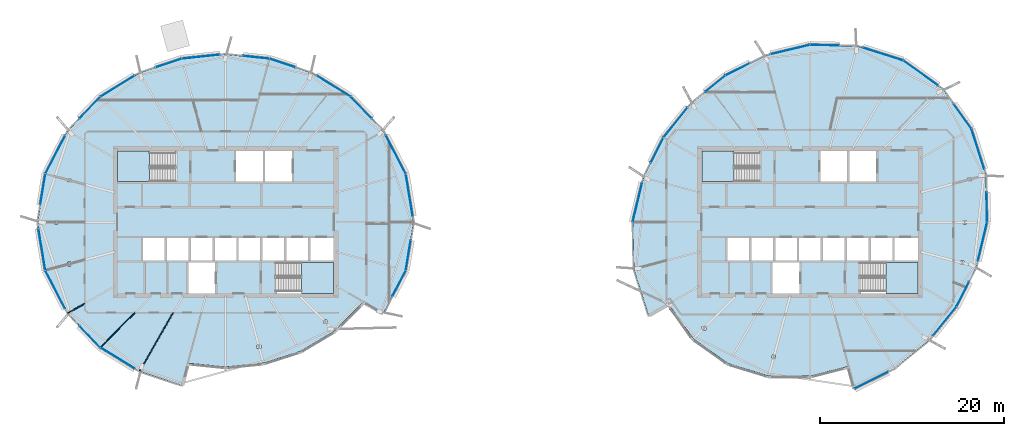
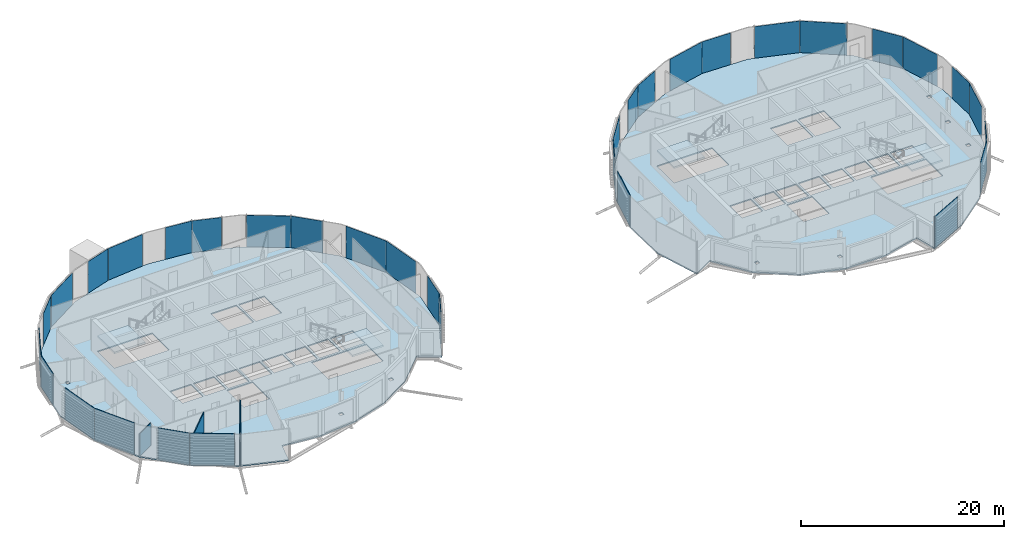
# One storey, part 15 of 33: 34 plates, 6 slabs, 3 walls, 6 elements without a shape of their own.
"""IFC4 building model written with IfcOpenShell, lengths in metres."""

from ifc_helpers import new_model, si_unit, direction, frame, frame_2d, origin, origin_2d, place, context, subcontext, project, spatial, polyline, rectangle, outline, extrude, material, layer, layer_set, type_object, element, aggregate, save


model = new_model("IFC4")

# Units and contexts
model_context = context("Model", 3, precision=1e-05, world=origin(), true_north=direction((0.0, 1.0)))
body_context = subcontext(model_context, "Body", "Model", "MODEL_VIEW")
ifc_project = project(units=[si_unit("LENGTHUNIT", "METRE"), si_unit("AREAUNIT", "SQUARE_METRE"), si_unit("VOLUMEUNIT", "CUBIC_METRE"), si_unit("PLANEANGLEUNIT", "RADIAN"), si_unit("MASSUNIT", "GRAM", prefix="KILO")], contexts=[model_context])

# Site, building, storey
site_placement = place(None, origin())
site = spatial("IfcSite", under=ifc_project, at=site_placement, CompositionType="ELEMENT")
building_placement = place(site_placement, origin())
building = spatial("IfcBuilding", under=site, at=building_placement, Name="Rimbun Link Towers", CompositionType="ELEMENT")
storey_placement = place(building_placement, frame((0.0, 0.0, 237.10009765625)))
storey = spatial("IfcBuildingStorey", under=building, at=storey_placement, Name="L58", CompositionType="ELEMENT", Elevation=237.10009765625)

# Slabs
ifc_material_1 = material(Name="Concrete C35/45", Category="concrete")
ifc_layer_1 = layer(ifc_material_1, 0.139892578125)
ifc_layer_set_1 = layer_set([ifc_layer_1], Name="COMPOSITE FLOOR 140")
slab_type_1 = type_object("IfcSlabType", Name="COMPOSITE FLOOR 140", PredefinedType="FLOOR", material=ifc_layer_set_1)
slab_1_placement = place(storey_placement, frame((0.0, 0.0, -0.14013671875)))
element("IfcSlab", 1, at=slab_1_placement, inside=storey, type_object=slab_type_1, Name="Floor slab T1 L58", PredefinedType="FLOOR", context=body_context, shape_type="SweptSolid", body=[
    extrude(outline(polyline([(-41.108642578125, -16.209716796875), (-45.353515625, -13.603515625), (-48.901611328125, -9.902587890625), (-51.313232421875, -5.241943359375), (-52.17529296875, 0.0), (-51.313232421875, 5.241943359375), (-48.901611328125, 9.902587890625), (-45.353515625, 13.603515625), (-41.108642578125, 16.209716796875), (-36.50244140625, 17.736328125), (-31.75, 18.23681640625), (-26.99755859375, 17.736328125), (-22.391357421875, 16.209716796875), (-18.146484375, 13.603515625), (-14.598388671875, 9.902587890625), (-12.186767578125, 5.241943359375), (-11.32470703125, 0.0), (-12.186767578125, -5.241943359375), (-14.598388671875, -9.902587890625), (-16.76318359375, -8.652587890625), (-19.914306640625, -11.835693359375), (-23.641357421875, -14.044677734375), (-27.64453125, -15.321533203125), (-31.75, -15.73681640625), (-35.85546875, -15.321533203125), (-36.50244140625, -17.736328125), (-41.108642578125, -16.209716796875)]), holes=[polyline([(-32.89990234375, -7.75), (-32.89990234375, -4.39990234375), (-35.800048828125, -4.39990234375), (-35.800048828125, -7.75), (-32.89990234375, -7.75)]), polyline([(-48.52392578125, -4.744873046875), (-48.52392578125, -4.351318359375), (-48.9228515625, -4.351318359375), (-48.9228515625, -4.744873046875), (-48.52392578125, -4.744873046875)]), polyline([(-38.361083984375, -4.14990234375), (-38.361083984375, -1.75), (-40.70556640625, -1.75), (-40.70556640625, -4.14990234375), (-38.361083984375, -4.14990234375)]), polyline([(-35.7666015625, -4.14990234375), (-35.7666015625, -1.75), (-38.111083984375, -1.75), (-38.111083984375, -4.14990234375), (-35.7666015625, -4.14990234375)]), polyline([(-33.172119140625, -4.14990234375), (-33.172119140625, -1.75), (-35.5166015625, -1.75), (-35.5166015625, -4.14990234375), (-33.172119140625, -4.14990234375)]), polyline([(-30.577880859375, -4.14990234375), (-30.577880859375, -1.75), (-32.922119140625, -1.75), (-32.922119140625, -4.14990234375), (-30.577880859375, -4.14990234375)]), polyline([(-49.9482421875, -0.19677734375), (-49.9482421875, 0.19677734375), (-50.34716796875, 0.19677734375), (-50.34716796875, -0.19677734375), (-49.9482421875, -0.19677734375)]), polyline([(-48.9228515625, 4.351318359375), (-48.52392578125, 4.351318359375), (-48.52392578125, 4.744873046875), (-48.9228515625, 4.744873046875), (-48.9228515625, 4.351318359375)]), polyline([(-43.5, 4.39990234375), (-37.260009765625, 4.39990234375), (-37.260009765625, 7.75), (-43.5, 7.75), (-43.5, 4.39990234375)]), polyline([(-27.924072265625, -13.730712890625), (-27.924072265625, -13.337158203125), (-28.322998046875, -13.337158203125), (-28.322998046875, -13.730712890625), (-27.924072265625, -13.730712890625)]), polyline([(-20.7060546875, -11.041259765625), (-20.7060546875, -10.647705078125), (-21.10498046875, -10.647705078125), (-21.10498046875, -11.041259765625), (-20.7060546875, -11.041259765625)]), polyline([(-20.0, -7.75), (-20.0, -4.39990234375), (-26.239990234375, -4.39990234375), (-26.239990234375, -7.75), (-20.0, -7.75)]), polyline([(-27.9833984375, -4.14990234375), (-27.9833984375, -1.75), (-30.327880859375, -1.75), (-30.327880859375, -4.14990234375), (-27.9833984375, -4.14990234375)]), polyline([(-25.388916015625, -4.14990234375), (-25.388916015625, -1.75), (-27.7333984375, -1.75), (-27.7333984375, -4.14990234375), (-25.388916015625, -4.14990234375)]), polyline([(-22.79443359375, -4.14990234375), (-22.79443359375, -1.75), (-25.138916015625, -1.75), (-25.138916015625, -4.14990234375), (-22.79443359375, -4.14990234375)]), polyline([(-20.0, -4.14990234375), (-20.0, -1.75), (-22.54443359375, -1.75), (-22.54443359375, -4.14990234375), (-20.0, -4.14990234375)]), polyline([(-30.60009765625, 4.39990234375), (-27.699951171875, 4.39990234375), (-27.699951171875, 7.75), (-30.60009765625, 7.75), (-30.60009765625, 4.39990234375)]), polyline([(-27.449951171875, 4.39990234375), (-24.550048828125, 4.39990234375), (-24.550048828125, 7.75), (-27.449951171875, 7.75), (-27.449951171875, 4.39990234375)])]), origin(), (0.0, 0.0, 1.0), 0.14013671875),
])
slab_2_placement = place(storey_placement, frame((0.0, 0.0, -0.14013671875)))
element("IfcSlab", 2, at=slab_2_placement, inside=storey, type_object=slab_type_1, Name="Floor slab T2 L58", PredefinedType="FLOOR", context=body_context, shape_type="SweptSolid", body=[
    extrude(outline(polyline([(12.61962890625, -5.1259765625), (12.51171875, 0.0), (13.67041015625, 4.844482421875), (15.84814453125, 9.180908203125), (18.8544921875, 12.8955078125), (22.569091796875, 15.90185546875), (26.905517578125, 18.07958984375), (31.75, 19.23828125), (36.8759765625, 19.13037109375), (41.876708984375, 17.539794921875), (46.19287109375, 14.44287109375), (49.289794921875, 10.126708984375), (50.88037109375, 5.1259765625), (50.98828125, 0.0), (49.82958984375, -4.844482421875), (47.65185546875, -9.180908203125), (44.6455078125, -12.8955078125), (40.930908203125, -15.90185546875), (36.594482421875, -18.07958984375), (35.947509765625, -15.664794921875), (31.75, -16.73828125), (27.27099609375, -16.71533203125), (22.873291015625, -15.375), (19.074951171875, -12.675048828125), (16.375, -8.876708984375), (14.210205078125, -10.126708984375), (12.61962890625, -5.1259765625)]), holes=[polyline([(28.02587890625, -14.840087890625), (28.02587890625, -14.446533203125), (27.626708984375, -14.446533203125), (27.626708984375, -14.840087890625), (28.02587890625, -14.840087890625)]), polyline([(20.4384765625, -11.7080078125), (20.4384765625, -11.314208984375), (20.039306640625, -11.314208984375), (20.039306640625, -11.7080078125), (20.4384765625, -11.7080078125)]), polyline([(30.60009765625, -7.75), (30.60009765625, -4.39990234375), (27.699951171875, -4.39990234375), (27.699951171875, -7.75), (30.60009765625, -7.75)]), polyline([(25.138916015625, -4.14990234375), (25.138916015625, -1.75), (22.79443359375, -1.75), (22.79443359375, -4.14990234375), (25.138916015625, -4.14990234375)]), polyline([(27.7333984375, -4.14990234375), (27.7333984375, -1.75), (25.388916015625, -1.75), (25.388916015625, -4.14990234375), (27.7333984375, -4.14990234375)]), polyline([(30.327880859375, -4.14990234375), (30.327880859375, -1.75), (27.9833984375, -1.75), (27.9833984375, -4.14990234375), (30.327880859375, -4.14990234375)]), polyline([(32.922119140625, -4.14990234375), (32.922119140625, -1.75), (30.577880859375, -1.75), (30.577880859375, -4.14990234375), (32.922119140625, -4.14990234375)]), polyline([(33.172119140625, -4.14990234375), (35.5166015625, -4.14990234375), (35.5166015625, -1.75), (33.172119140625, -1.75), (33.172119140625, -4.14990234375)]), polyline([(20.0, 4.39990234375), (26.239990234375, 4.39990234375), (26.239990234375, 7.75), (20.0, 7.75), (20.0, 4.39990234375)]), polyline([(43.5, -7.75), (43.5, -4.39990234375), (37.260009765625, -4.39990234375), (37.260009765625, -7.75), (43.5, -7.75)]), polyline([(48.488525390625, -4.62841796875), (48.488525390625, -4.23486328125), (48.089599609375, -4.23486328125), (48.089599609375, -4.62841796875), (48.488525390625, -4.62841796875)]), polyline([(38.111083984375, -4.14990234375), (38.111083984375, -1.75), (35.7666015625, -1.75), (35.7666015625, -4.14990234375), (38.111083984375, -4.14990234375)]), polyline([(40.70556640625, -4.14990234375), (40.70556640625, -1.75), (38.361083984375, -1.75), (38.361083984375, -4.14990234375), (40.70556640625, -4.14990234375)]), polyline([(43.5, -4.14990234375), (43.5, -1.75), (40.95556640625, -1.75), (40.95556640625, -4.14990234375), (43.5, -4.14990234375)]), polyline([(48.760009765625, -0.19677734375), (48.760009765625, 0.19677734375), (48.36083984375, 0.19677734375), (48.36083984375, -0.19677734375), (48.760009765625, -0.19677734375)]), polyline([(49.327392578125, 4.459716796875), (49.327392578125, 4.853271484375), (48.92822265625, 4.853271484375), (48.92822265625, 4.459716796875), (49.327392578125, 4.459716796875)]), polyline([(32.89990234375, 4.39990234375), (35.800048828125, 4.39990234375), (35.800048828125, 7.75), (32.89990234375, 7.75), (32.89990234375, 4.39990234375)]), polyline([(36.050048828125, 4.39990234375), (38.949951171875, 4.39990234375), (38.949951171875, 7.75), (36.050048828125, 7.75), (36.050048828125, 4.39990234375)])]), origin(), (0.0, 0.0, 1.0), 0.14013671875),
])

# Curtain wall, plates
ifc_material_2 = material(Name="Aluminium 6063-T6 and low-iron glass", Category="aluminium")
curtain_wall_type = type_object("IfcCurtainWallType", Name="CW1-Z4 unitised vision wall (zone 4)", PredefinedType="NOTDEFINED", material=ifc_material_2)
curtain_wall_1_placement = place(storey_placement, origin())
curtain_wall_1 = element("IfcCurtainWall", 3, at=curtain_wall_1_placement, inside=storey, type_object=curtain_wall_type, Name="CW1 L58 T1", PredefinedType="NOTDEFINED")
ifc_material_3 = material(Name="Low-iron glass, laminated low-e unit", Category="glass")
ifc_layer_2 = layer(ifc_material_3, 0.028076171875)
ifc_layer_set_2 = layer_set([ifc_layer_2], Name="CW1 panel Low-iron glass 28")
plate_type = type_object("IfcPlateType", Name="CW1 panel Low-iron glass 28", PredefinedType="CURTAIN_PANEL", material=ifc_layer_set_2)
plate_1_placement = place(storey_placement, frame((-11.794677734375, 2.94384765625, 0.0), z_axis=(0.0, 0.0, 1.0), x_axis=(0.162261836936, -0.986747736898, 0.0)))
plate_1 = element("IfcPlate", 4, at=plate_1_placement, type_object=plate_type, Name="CW1 panel", PredefinedType="CURTAIN_PANEL", context=body_context, shape_type="SweptSolid", body=[
    extrude(rectangle(XDim=4.622314453125, YDim=0.028076171875, at=origin_2d()), origin(), (0.0, 0.0, 1.0), 3.800048828125),
])
plate_2_placement = place(storey_placement, frame((-13.253662109375, 7.33447265625, 0.0), z_axis=(0.0, 0.0, 1.0), x_axis=(0.459549928391, -0.888151937067, 0.0)))
plate_2 = element("IfcPlate", 5, at=plate_2_placement, type_object=plate_type, Name="CW1 panel", PredefinedType="CURTAIN_PANEL", context=body_context, shape_type="SweptSolid", body=[
    extrude(rectangle(XDim=4.657470703125, YDim=0.028076171875, at=origin_2d()), origin(), (0.0, 0.0, 1.0), 3.800048828125),
])
plate_3_placement = place(storey_placement, frame((-17.00244140625, 12.430419921875, 0.0), z_axis=(0.0, 0.0, 1.0), x_axis=(0.692058277025, -0.721841631662, 0.0)))
plate_3 = element("IfcPlate", 6, at=plate_3_placement, type_object=plate_type, Name="CW1 panel", PredefinedType="CURTAIN_PANEL", context=body_context, shape_type="SweptSolid", body=[
    extrude(rectangle(XDim=3.237060546875, YDim=0.028076171875, at=origin_2d()), origin(), (0.0, 0.0, 1.0), 3.800048828125),
])
plate_4_placement = place(storey_placement, frame((-20.005859375, 14.76171875, 0.0), z_axis=(0.0, 0.0, 1.0), x_axis=(0.852185203214, -0.523240269306, 0.0)))
plate_4 = element("IfcPlate", 7, at=plate_4_placement, type_object=plate_type, Name="CW1 panel", PredefinedType="CURTAIN_PANEL", context=body_context, shape_type="SweptSolid", body=[
    extrude(rectangle(XDim=4.341064453125, YDim=0.028076171875, at=origin_2d()), origin(), (0.0, 0.0, 1.0), 3.800048828125),
])
plate_5_placement = place(storey_placement, frame((-25.568115234375, 17.27734375, 0.0), z_axis=(0.0, 0.0, 1.0), x_axis=(0.949234126945, -0.314570456722, 0.0)))
plate_5 = element("IfcPlate", 8, at=plate_5_placement, type_object=plate_type, Name="CW1 panel", PredefinedType="CURTAIN_PANEL", context=body_context, shape_type="SweptSolid", body=[
    extrude(rectangle(XDim=2.962646484375, YDim=0.028076171875, at=origin_2d()), origin(), (0.0, 0.0, 1.0), 3.800048828125),
])
plate_6_placement = place(storey_placement, frame((-28.427490234375, 17.90087890625, 0.0), z_axis=(0.0, 0.0, 1.0), x_axis=(0.994500062373, -0.104735982072, 0.0)))
plate_6 = element("IfcPlate", 9, at=plate_6_placement, type_object=plate_type, Name="CW1 panel", PredefinedType="CURTAIN_PANEL", context=body_context, shape_type="SweptSolid", body=[
    extrude(rectangle(XDim=2.838623046875, YDim=0.028076171875, at=origin_2d()), origin(), (0.0, 0.0, 1.0), 3.800048828125),
])
plate_7_placement = place(storey_placement, frame((-34.426025390625, 17.968994140625, 0.0), z_axis=(0.0, 0.0, 1.0), x_axis=(0.994500062373, 0.104735982072, 0.0)))
plate_7 = element("IfcPlate", 10, at=plate_7_placement, type_object=plate_type, Name="CW1 panel", PredefinedType="CURTAIN_PANEL", context=body_context, shape_type="SweptSolid", body=[
    extrude(rectangle(XDim=4.138671875, YDim=0.028076171875, at=origin_2d()), origin(), (0.0, 0.0, 1.0), 3.800048828125),
])
plate_8_placement = place(storey_placement, frame((-37.931884765625, 17.27734375, 0.0), z_axis=(0.0, 0.0, 1.0), x_axis=(0.949234126945, 0.314570456722, 0.0)))
plate_8 = element("IfcPlate", 11, at=plate_8_placement, type_object=plate_type, Name="CW1 panel", PredefinedType="CURTAIN_PANEL", context=body_context, shape_type="SweptSolid", body=[
    extrude(rectangle(XDim=2.962646484375, YDim=0.028076171875, at=origin_2d()), origin(), (0.0, 0.0, 1.0), 3.800048828125),
])
plate_9_placement = place(storey_placement, frame((-43.494140625, 14.76171875, 0.0), z_axis=(0.0, 0.0, 1.0), x_axis=(0.852185203214, 0.523240269306, 0.0)))
plate_9 = element("IfcPlate", 12, at=plate_9_placement, type_object=plate_type, Name="CW1 panel", PredefinedType="CURTAIN_PANEL", context=body_context, shape_type="SweptSolid", body=[
    extrude(rectangle(XDim=4.341064453125, YDim=0.028076171875, at=origin_2d()), origin(), (0.0, 0.0, 1.0), 3.800048828125),
])
plate_10_placement = place(storey_placement, frame((-46.49755859375, 12.430419921875, 0.0), z_axis=(0.0, 0.0, 1.0), x_axis=(0.692058277025, 0.721841631662, 0.0)))
plate_10 = element("IfcPlate", 13, at=plate_10_placement, type_object=plate_type, Name="CW1 panel", PredefinedType="CURTAIN_PANEL", context=body_context, shape_type="SweptSolid", body=[
    extrude(rectangle(XDim=3.237060546875, YDim=0.028076171875, at=origin_2d()), origin(), (0.0, 0.0, 1.0), 3.800048828125),
])
plate_11_placement = place(storey_placement, frame((-50.246337890625, 7.33447265625, 0.0), z_axis=(0.0, 0.0, 1.0), x_axis=(0.459549928391, 0.888151937067, 0.0)))
plate_11 = element("IfcPlate", 14, at=plate_11_placement, type_object=plate_type, Name="CW1 panel", PredefinedType="CURTAIN_PANEL", context=body_context, shape_type="SweptSolid", body=[
    extrude(rectangle(XDim=4.657470703125, YDim=0.028076171875, at=origin_2d()), origin(), (0.0, 0.0, 1.0), 3.800048828125),
])
plate_12_placement = place(storey_placement, frame((-51.603759765625, 3.560791015625, 0.0), z_axis=(0.0, 0.0, 1.0), x_axis=(0.162261836936, 0.986747736898, 0.0)))
plate_12 = element("IfcPlate", 15, at=plate_12_placement, type_object=plate_type, Name="CW1 panel", PredefinedType="CURTAIN_PANEL", context=body_context, shape_type="SweptSolid", body=[
    extrude(rectangle(XDim=3.372314453125, YDim=0.028076171875, at=origin_2d()), origin(), (0.0, 0.0, 1.0), 3.800048828125),
])
plate_13_placement = place(storey_placement, frame((-51.701171875, -2.96875, 0.0), z_axis=(0.0, 0.0, 1.0), x_axis=(-0.162261836936, 0.986747736898, 0.0)))
plate_13 = element("IfcPlate", 16, at=plate_13_placement, type_object=plate_type, Name="CW1 panel", PredefinedType="CURTAIN_PANEL", context=body_context, shape_type="SweptSolid", body=[
    extrude(rectangle(XDim=4.572509765625, YDim=0.028076171875, at=origin_2d()), origin(), (0.0, 0.0, 1.0), 3.800048828125),
])
plate_14_placement = place(storey_placement, frame((-50.246337890625, -7.33447265625, 0.0), z_axis=(0.0, 0.0, 1.0), x_axis=(-0.459549928391, 0.888151937067, 0.0)))
plate_14 = element("IfcPlate", 17, at=plate_14_placement, type_object=plate_type, Name="CW1 panel", PredefinedType="CURTAIN_PANEL", context=body_context, shape_type="SweptSolid", body=[
    extrude(rectangle(XDim=4.657470703125, YDim=0.028076171875, at=origin_2d()), origin(), (0.0, 0.0, 1.0), 3.800048828125),
])
plate_15_placement = place(storey_placement, frame((-46.49755859375, -12.430419921875, 0.0), z_axis=(0.0, 0.0, 1.0), x_axis=(-0.692058277025, 0.721841631662, 0.0)))
plate_15 = element("IfcPlate", 18, at=plate_15_placement, type_object=plate_type, Name="CW1 panel", PredefinedType="CURTAIN_PANEL", context=body_context, shape_type="SweptSolid", body=[
    extrude(rectangle(XDim=3.237060546875, YDim=0.028076171875, at=origin_2d()), origin(), (0.0, 0.0, 1.0), 3.800048828125),
])
plate_16_placement = place(storey_placement, frame((-43.47265625, -14.774658203125, 0.0), z_axis=(0.0, 0.0, 1.0), x_axis=(-0.852185203214, 0.523240269306, 0.0)))
plate_16 = element("IfcPlate", 19, at=plate_16_placement, type_object=plate_type, Name="CW1 panel", PredefinedType="CURTAIN_PANEL", context=body_context, shape_type="SweptSolid", body=[
    extrude(rectangle(XDim=4.39111328125, YDim=0.028076171875, at=origin_2d()), origin(), (0.0, 0.0, 1.0), 3.800048828125),
])
plate_17_placement = place(storey_placement, frame((-12.897705078125, -6.646240234375, 0.0), z_axis=(0.0, 0.0, 1.0), x_axis=(-0.459549928391, -0.888151937067, 0.0)))
plate_17 = element("IfcPlate", 20, at=plate_17_placement, type_object=plate_type, Name="CW1 panel", PredefinedType="CURTAIN_PANEL", context=body_context, shape_type="SweptSolid", body=[
    extrude(rectangle(XDim=3.107421875, YDim=0.028076171875, at=origin_2d()), origin(), (0.0, 0.0, 1.0), 3.800048828125),
])
plate_18_placement = place(storey_placement, frame((-11.904296875, -3.610107421875, 0.0), z_axis=(0.0, 0.0, 1.0), x_axis=(-0.162261836936, -0.986747736898, 0.0)))
plate_18 = element("IfcPlate", 21, at=plate_18_placement, type_object=plate_type, Name="CW1 panel", PredefinedType="CURTAIN_PANEL", context=body_context, shape_type="SweptSolid", body=[
    extrude(rectangle(XDim=3.2724609375, YDim=0.028076171875, at=origin_2d()), origin(), (0.0, 0.0, 1.0), 3.800048828125),
])
aggregate(curtain_wall_1, [plate_1, plate_2, plate_3, plate_4, plate_5, plate_6, plate_7, plate_8, plate_9, plate_10, plate_11, plate_12, plate_13, plate_14, plate_15, plate_16, plate_17, plate_18])

curtain_wall_2_placement = place(storey_placement, origin())
curtain_wall_2 = element("IfcCurtainWall", 22, at=curtain_wall_2_placement, inside=storey, type_object=curtain_wall_type, Name="CW1 L58 T2", PredefinedType="NOTDEFINED")
plate_19_placement = place(storey_placement, frame((43.77880859375, 16.192138671875, 0.0), z_axis=(0.0, 0.0, 1.0), x_axis=(0.812469826089, -0.583003243297, 0.0)))
plate_19 = element("IfcPlate", 23, at=plate_19_placement, type_object=plate_type, Name="CW1 panel", PredefinedType="CURTAIN_PANEL", context=body_context, shape_type="SweptSolid", body=[
    extrude(rectangle(XDim=4.622314453125, YDim=0.028076171875, at=origin_2d()), origin(), (0.0, 0.0, 1.0), 3.800048828125),
])
plate_20_placement = place(storey_placement, frame((39.690185546875, 18.25, 0.0), z_axis=(0.0, 0.0, 1.0), x_axis=(0.952967816288, -0.303071511559, 0.0)))
plate_20 = element("IfcPlate", 24, at=plate_20_placement, type_object=plate_type, Name="CW1 panel", PredefinedType="CURTAIN_PANEL", context=body_context, shape_type="SweptSolid", body=[
    extrude(rectangle(XDim=4.5576171875, YDim=0.028076171875, at=origin_2d()), origin(), (0.0, 0.0, 1.0), 3.800048828125),
])
plate_21_placement = place(storey_placement, frame((33.363525390625, 19.21826171875, 0.0), z_axis=(0.0, 0.0, 1.0), x_axis=(0.999778112574, -0.021064795684, 0.0)))
plate_21 = element("IfcPlate", 25, at=plate_21_placement, type_object=plate_type, Name="CW1 panel", PredefinedType="CURTAIN_PANEL", context=body_context, shape_type="SweptSolid", body=[
    extrude(rectangle(XDim=3.18701171875, YDim=0.028076171875, at=origin_2d()), origin(), (0.0, 0.0, 1.0), 3.800048828125),
])
plate_22_placement = place(storey_placement, frame((29.6162109375, 18.742431640625, 0.0), z_axis=(0.0, 0.0, 1.0), x_axis=(0.972571783307, 0.23260293703, 0.0)))
plate_22 = element("IfcPlate", 26, at=plate_22_placement, type_object=plate_type, Name="CW1 panel", PredefinedType="CURTAIN_PANEL", context=body_context, shape_type="SweptSolid", body=[
    extrude(rectangle(XDim=4.341064453125, YDim=0.028076171875, at=origin_2d()), origin(), (0.0, 0.0, 1.0), 3.800048828125),
])
plate_23_placement = place(storey_placement, frame((23.904296875, 16.588134765625, 0.0), z_axis=(0.0, 0.0, 1.0), x_axis=(0.893642754219, 0.448779041213, 0.0)))
plate_23 = element("IfcPlate", 27, at=plate_23_placement, type_object=plate_type, Name="CW1 panel", PredefinedType="CURTAIN_PANEL", context=body_context, shape_type="SweptSolid", body=[
    extrude(rectangle(XDim=2.962646484375, YDim=0.028076171875, at=origin_2d()), origin(), (0.0, 0.0, 1.0), 3.800048828125),
])
plate_24_placement = place(storey_placement, frame((21.4609375, 15.02294921875, 0.0), z_axis=(0.0, 0.0, 1.0), x_axis=(0.777285317003, 0.629148262313, 0.0)))
plate_24 = element("IfcPlate", 28, at=plate_24_placement, type_object=plate_type, Name="CW1 panel", PredefinedType="CURTAIN_PANEL", context=body_context, shape_type="SweptSolid", body=[
    extrude(rectangle(XDim=2.78857421875, YDim=0.028076171875, at=origin_2d()), origin(), (0.0, 0.0, 1.0), 3.800048828125),
])
plate_25_placement = place(storey_placement, frame((17.151611328125, 10.813720703125, 0.0), z_axis=(0.0, 0.0, 1.0), x_axis=(0.629148262313, 0.777285317003, 0.0)))
plate_25 = element("IfcPlate", 29, at=plate_25_placement, type_object=plate_type, Name="CW1 panel", PredefinedType="CURTAIN_PANEL", context=body_context, shape_type="SweptSolid", body=[
    extrude(rectangle(XDim=4.138671875, YDim=0.028076171875, at=origin_2d()), origin(), (0.0, 0.0, 1.0), 3.800048828125),
])
plate_26_placement = place(storey_placement, frame((15.150634765625, 7.8232421875, 0.0), z_axis=(0.0, 0.0, 1.0), x_axis=(0.448779041213, 0.893642754219, 0.0)))
plate_26 = element("IfcPlate", 30, at=plate_26_placement, type_object=plate_type, Name="CW1 panel", PredefinedType="CURTAIN_PANEL", context=body_context, shape_type="SweptSolid", body=[
    extrude(rectangle(XDim=3.0126953125, YDim=0.028076171875, at=origin_2d()), origin(), (0.0, 0.0, 1.0), 3.800048828125),
])
plate_27_placement = place(storey_placement, frame((13.013427734375, 2.157958984375, 0.0), z_axis=(0.0, 0.0, 1.0), x_axis=(0.23260293703, 0.972571783307, 0.0)))
plate_27 = element("IfcPlate", 31, at=plate_27_placement, type_object=plate_type, Name="CW1 panel", PredefinedType="CURTAIN_PANEL", context=body_context, shape_type="SweptSolid", body=[
    extrude(rectangle(XDim=4.39111328125, YDim=0.028076171875, at=origin_2d()), origin(), (0.0, 0.0, 1.0), 3.800048828125),
])
plate_28_placement = place(storey_placement, frame((38.433837890625, -17.171630859375, 0.0), z_axis=(0.0, 0.0, 1.0), x_axis=(-0.893642754219, -0.448779041213, 0.0)))
plate_28 = element("IfcPlate", 32, at=plate_28_placement, type_object=plate_type, Name="CW1 panel", PredefinedType="CURTAIN_PANEL", context=body_context, shape_type="SweptSolid", body=[
    extrude(rectangle(XDim=4.062744140625, YDim=0.028076171875, at=origin_2d()), origin(), (0.0, 0.0, 1.0), 3.800048828125),
])
plate_29_placement = place(storey_placement, frame((46.379638671875, -10.77490234375, 0.0), z_axis=(0.0, 0.0, 1.0), x_axis=(-0.629148262313, -0.777285317003, 0.0)))
plate_29 = element("IfcPlate", 33, at=plate_29_placement, type_object=plate_type, Name="CW1 panel", PredefinedType="CURTAIN_PANEL", context=body_context, shape_type="SweptSolid", body=[
    extrude(rectangle(XDim=4.03857421875, YDim=0.028076171875, at=origin_2d()), origin(), (0.0, 0.0, 1.0), 3.800048828125),
])
plate_30_placement = place(storey_placement, frame((48.349365234375, -7.8232421875, 0.0), z_axis=(0.0, 0.0, 1.0), x_axis=(-0.448779041213, -0.893642754219, 0.0)))
plate_30 = element("IfcPlate", 34, at=plate_30_placement, type_object=plate_type, Name="CW1 panel", PredefinedType="CURTAIN_PANEL", context=body_context, shape_type="SweptSolid", body=[
    extrude(rectangle(XDim=3.0126953125, YDim=0.028076171875, at=origin_2d()), origin(), (0.0, 0.0, 1.0), 3.800048828125),
])
plate_31_placement = place(storey_placement, frame((50.498291015625, -2.109375, 0.0), z_axis=(0.0, 0.0, 1.0), x_axis=(-0.23260293703, -0.972571783307, 0.0)))
plate_31 = element("IfcPlate", 35, at=plate_31_placement, type_object=plate_type, Name="CW1 panel", PredefinedType="CURTAIN_PANEL", context=body_context, shape_type="SweptSolid", body=[
    extrude(rectangle(XDim=4.291015625, YDim=0.028076171875, at=origin_2d()), origin(), (0.0, 0.0, 1.0), 3.800048828125),
])
plate_32_placement = place(storey_placement, frame((50.9677734375, 1.638427734375, 0.0), z_axis=(0.0, 0.0, 1.0), x_axis=(0.021064795684, -0.999778112574, 0.0)))
plate_32 = element("IfcPlate", 36, at=plate_32_placement, type_object=plate_type, Name="CW1 panel", PredefinedType="CURTAIN_PANEL", context=body_context, shape_type="SweptSolid", body=[
    extrude(rectangle(XDim=3.237060546875, YDim=0.028076171875, at=origin_2d()), origin(), (0.0, 0.0, 1.0), 3.800048828125),
])
plate_33_placement = place(storey_placement, frame((50.0, 7.940185546875, 0.0), z_axis=(0.0, 0.0, 1.0), x_axis=(0.303071511559, -0.952967816288, 0.0)))
plate_33 = element("IfcPlate", 37, at=plate_33_placement, type_object=plate_type, Name="CW1 panel", PredefinedType="CURTAIN_PANEL", context=body_context, shape_type="SweptSolid", body=[
    extrude(rectangle(XDim=4.5576171875, YDim=0.028076171875, at=origin_2d()), origin(), (0.0, 0.0, 1.0), 3.800048828125),
])
plate_34_placement = place(storey_placement, frame((48.335693359375, 11.48046875, 0.0), z_axis=(0.0, 0.0, 1.0), x_axis=(0.583003243297, -0.812469826089, 0.0)))
plate_34 = element("IfcPlate", 38, at=plate_34_placement, type_object=plate_type, Name="CW1 panel", PredefinedType="CURTAIN_PANEL", context=body_context, shape_type="SweptSolid", body=[
    extrude(rectangle(XDim=3.272216796875, YDim=0.028076171875, at=origin_2d()), origin(), (0.0, 0.0, 1.0), 3.800048828125),
])
aggregate(curtain_wall_2, [plate_19, plate_20, plate_21, plate_22, plate_23, plate_24, plate_25, plate_26, plate_27, plate_28, plate_29, plate_30, plate_31, plate_32, plate_33, plate_34])

# Stair, slab
ifc_material_4 = material(Name="Concrete C40/50", Category="concrete")
stair_type = type_object("IfcStairType", Name="Exit stair 3800 rise", PredefinedType="HALF_TURN_STAIR", material=ifc_material_4)
stair_1_placement = place(storey_placement, origin())
stair_1 = element("IfcStair", 39, at=stair_1_placement, inside=storey, type_object=stair_type, Name="L58 EXIT STAIR A", PredefinedType="HALF_TURN_STAIR")
ifc_material_5 = material(Name="Concrete C40/50", Category="concrete")
ifc_layer_3 = layer(ifc_material_5, 0.199951171875)
ifc_layer_set_3 = layer_set([ifc_layer_3], Name="Stair landing")
slab_type_2 = type_object("IfcSlabType", Name="Stair landing", PredefinedType="LANDING", material=ifc_layer_set_3)
slab_3_placement = place(storey_placement, frame((0.0, 0.0, 1.699951171875)))
slab_3 = element("IfcSlab", 40, at=slab_3_placement, type_object=slab_type_2, Name="ST1 landing 1", PredefinedType="LANDING", context=body_context, shape_type="SweptSolid", body=[
    extrude(outline(polyline([(-40.0, 7.75), (-43.5, 7.75), (-43.5, 4.39990234375), (-40.0, 4.39990234375), (-40.0, 7.75)])), origin(), (0.0, 0.0, 1.0), 0.199951171875),
])
aggregate(stair_1, [slab_3])

stair_2_placement = place(storey_placement, origin())
stair_2 = element("IfcStair", 41, at=stair_2_placement, inside=storey, type_object=stair_type, Name="L58 EXIT STAIR B", PredefinedType="HALF_TURN_STAIR")
slab_4_placement = place(storey_placement, frame((0.0, 0.0, 1.699951171875)))
slab_4 = element("IfcSlab", 42, at=slab_4_placement, type_object=slab_type_2, Name="ST2 landing 1", PredefinedType="LANDING", context=body_context, shape_type="SweptSolid", body=[
    extrude(outline(polyline([(-23.5, -7.75), (-20.0, -7.75), (-20.0, -4.39990234375), (-23.5, -4.39990234375), (-23.5, -7.75)])), origin(), (0.0, 0.0, 1.0), 0.199951171875),
])
aggregate(stair_2, [slab_4])

stair_3_placement = place(storey_placement, origin())
stair_3 = element("IfcStair", 43, at=stair_3_placement, inside=storey, type_object=stair_type, Name="L58 EXIT STAIR A", PredefinedType="HALF_TURN_STAIR")
slab_5_placement = place(storey_placement, frame((0.0, 0.0, 1.699951171875)))
slab_5 = element("IfcSlab", 44, at=slab_5_placement, type_object=slab_type_2, Name="ST3 landing 1", PredefinedType="LANDING", context=body_context, shape_type="SweptSolid", body=[
    extrude(outline(polyline([(23.5, 7.75), (20.0, 7.75), (20.0, 4.39990234375), (23.5, 4.39990234375), (23.5, 7.75)])), origin(), (0.0, 0.0, 1.0), 0.199951171875),
])
aggregate(stair_3, [slab_5])

stair_4_placement = place(storey_placement, origin())
stair_4 = element("IfcStair", 45, at=stair_4_placement, inside=storey, type_object=stair_type, Name="L58 EXIT STAIR B", PredefinedType="HALF_TURN_STAIR")
slab_6_placement = place(storey_placement, frame((0.0, 0.0, 1.699951171875)))
slab_6 = element("IfcSlab", 46, at=slab_6_placement, type_object=slab_type_2, Name="ST4 landing 1", PredefinedType="LANDING", context=body_context, shape_type="SweptSolid", body=[
    extrude(outline(polyline([(40.0, -7.75), (43.5, -7.75), (43.5, -4.39990234375), (40.0, -4.39990234375), (40.0, -7.75)])), origin(), (0.0, 0.0, 1.0), 0.199951171875),
])
aggregate(stair_4, [slab_6])

# Walls
ifc_material_6 = material(Name="Plasterboard on steel stud", Category="steel")
ifc_layer_4 = layer(ifc_material_6, 0.10009765625)
ifc_layer_set_4 = layer_set([ifc_layer_4], Name="Plasterboard partition 100 mm")
wall_type = type_object("IfcWallType", Name="Plasterboard partition 100 mm", PredefinedType="PARTITIONING", material=ifc_layer_set_4)
wall_1_placement = place(storey_placement, frame((-48.901611328125, -9.902587890625, 0.0), z_axis=(0.0, 0.0, 1.0), x_axis=(0.866029242824, 0.49999335053, 0.0)))
element("IfcWall", 47, at=wall_1_placement, inside=storey, type_object=wall_type, Name="Plasterboard partition 100 mm", PredefinedType="PARTITIONING", context=body_context, shape_type="SweptSolid", body=[
    extrude(rectangle(XDim=2.13232421875, YDim=0.10009765625, at=frame_2d((1.066162109375, 0.0))), origin(), (0.0, 0.0, 1.0), 2.721923828125),
])
wall_2_placement = place(storey_placement, frame((-45.353515625, -13.603515625, 0.0), z_axis=(0.0, 0.0, 1.0), x_axis=(0.707106781187, 0.707106781187, 0.0)))
element("IfcWall", 48, at=wall_2_placement, inside=storey, type_object=wall_type, Name="Plasterboard partition 100 mm", PredefinedType="PARTITIONING", context=body_context, shape_type="SweptSolid", body=[
    extrude(rectangle(XDim=5.3154296875, YDim=0.10009765625, at=frame_2d((2.65771484375, 0.0))), origin(), (0.0, 0.0, 1.0), 2.721923828125),
])
wall_3_placement = place(storey_placement, frame((-41.108642578125, -16.209716796875, 0.0), z_axis=(0.0, 0.0, 1.0), x_axis=(0.499987006516, 0.866032905446, 0.0)))
element("IfcWall", 49, at=wall_3_placement, inside=storey, type_object=wall_type, Name="Plasterboard partition 100 mm", PredefinedType="PARTITIONING", context=body_context, shape_type="SweptSolid", body=[
    extrude(rectangle(XDim=7.349365234375, YDim=0.10009765625, at=frame_2d((3.6748046875, 0.0))), origin(), (0.0, 0.0, 1.0), 2.721923828125),
])

save(model, "model.ifc")
